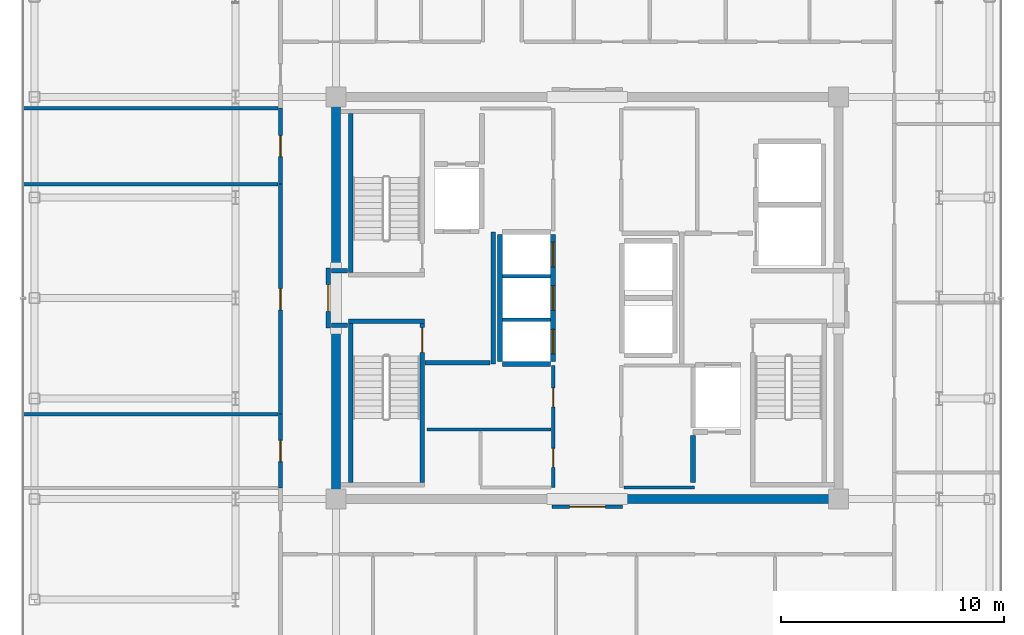
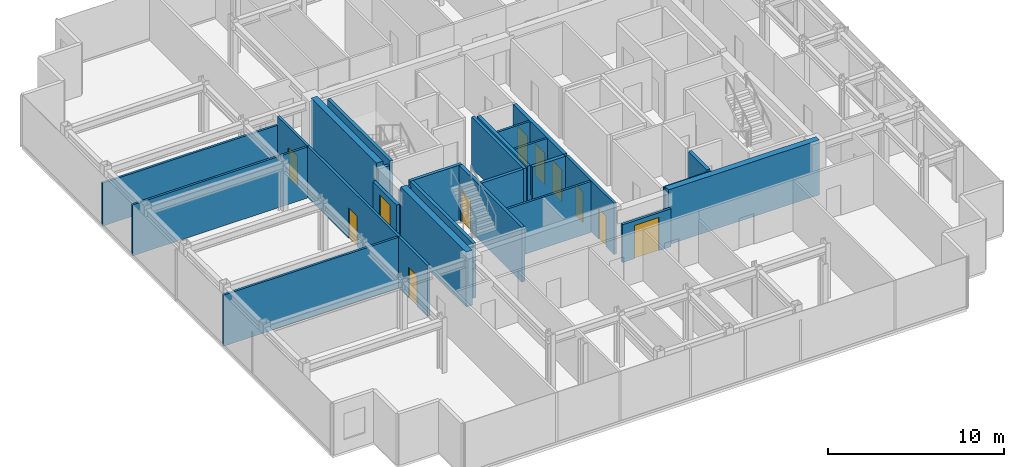
# One storey, part 13 of 17: 28 walls, 11 doors, 11 openings.
"""IFC4 building model written with IfcOpenShell, lengths in metres."""

from ifc_helpers import new_model, si_unit, direction, frame, frame_2d, origin, place, context, subcontext, project, spatial, rectangle, extrude, source, transform, mapped, material, layer, layer_set, type_object, element, fill, save


model = new_model("IFC4")

# Units and contexts
model_context = context("Model", 3, precision=1e-05, world=origin(), true_north=direction((0.0, 1.0)))
body_context = subcontext(model_context, "Body", "Model", "MODEL_VIEW")
ifc_project = project(units=[si_unit("LENGTHUNIT", "METRE"), si_unit("AREAUNIT", "SQUARE_METRE"), si_unit("VOLUMEUNIT", "CUBIC_METRE"), si_unit("PLANEANGLEUNIT", "RADIAN"), si_unit("MASSUNIT", "GRAM", prefix="KILO")], contexts=[model_context])

# Site, building, storey
site_placement = place(None, origin())
site = spatial("IfcSite", under=ifc_project, at=site_placement, CompositionType="ELEMENT")
building_placement = place(site_placement, origin())
building = spatial("IfcBuilding", under=site, at=building_placement, Name="Nefas-Gora Pilgrimage Tower", CompositionType="ELEMENT")
storey_placement = place(building_placement, frame((0.0, 0.0, 341.39990234375)))
storey = spatial("IfcBuildingStorey", under=building, at=storey_placement, Name="L86", CompositionType="ELEMENT", Elevation=341.39990234375)

# Walls
ifc_material_1 = material(Name="Concrete C50/60", Category="concrete")
ifc_layer_1 = layer(ifc_material_1, 0.39990234375)
ifc_layer_set_1 = layer_set([ifc_layer_1], Name="Concrete C50/60")
wall_type_1 = type_object("IfcWallType", Name="SW-CORE-400", PredefinedType="SHEAR", material=ifc_layer_set_1)
shared_shape_1 = source(origin(), body_context, "Body", "SweptSolid", [
    extrude(rectangle(XDim=9.89990234375, YDim=0.39990234375, at=frame_2d((4.949951171875, 0.0))), origin(), (0.0, 0.0, 1.0), 3.800048828125),
])
wall_1_placement = place(storey_placement, frame((1.550048828125, -9.0, 0.0), z_axis=(0.0, 0.0, 1.0), x_axis=(1.0, 0.0, 0.0)))
element("IfcWall", 1, at=wall_1_placement, inside=storey, type_object=wall_type_1, Name="L86 Core Shear Wall S-East", PredefinedType="SHEAR", context=body_context, shape_type="MappedRepresentation", body=[
    mapped(shared_shape_1, transform((0.0, 0.0, 0.0), x_axis=(1.0, 0.0, 0.0), y_axis=(0.0, 1.0, 0.0), z_axis=(0.0, 0.0, 1.0), scale=1.0)),
])
shared_shape_2 = source(origin(), body_context, "Body", "SweptSolid", [
    extrude(rectangle(XDim=7.449951171875, YDim=0.39990234375, at=frame_2d((3.72509765625, 0.0))), origin(), (0.0, 0.0, 1.0), 3.800048828125),
])
for number, where, z_axis, x_axis, name in (
    (2, (-11.25, -8.800048828125, 0.0), (0.0, 0.0, 1.0), (0.0, 1.0, 0.0), "L86 Core Shear Wall W-South"),
    (3, (-11.25, 1.35009765625, 0.0), (0.0, 0.0, 1.0), (0.0, 1.0, 0.0), "L86 Core Shear Wall W-North"),
):
    element("IfcWall", number, at=place(storey_placement, frame(where, z_axis=z_axis, x_axis=x_axis)), inside=storey, type_object=wall_type_1, Name=name, PredefinedType="SHEAR", context=body_context, shape_type="MappedRepresentation", body=[
        mapped(shared_shape_2, transform((0.0, 0.0, 0.0), x_axis=(1.0, 0.0, 0.0), y_axis=(0.0, 1.0, 0.0), z_axis=(0.0, 0.0, 1.0), scale=1.0)),
    ])
ifc_material_2 = material(Name="Concrete C45/55", Category="concrete")
ifc_layer_2 = layer(ifc_material_2, 0.199951171875)
ifc_layer_set_2 = layer_set([ifc_layer_2], Name="Concrete C45/55")
wall_type_2 = type_object("IfcWallType", Name="IW-STAIR-200", PredefinedType="SOLIDWALL", material=ifc_layer_set_2)
shared_shape_3 = source(origin(), body_context, "Body", "SweptSolid", [
    extrude(rectangle(XDim=3.39990234375, YDim=0.199951171875, at=frame_2d((1.699951171875, 0.0))), origin(), (0.0, 0.0, 1.0), 3.800048828125),
])
wall_2_placement = place(storey_placement, frame((-10.699951171875, -1.050048828125, 0.0), z_axis=(0.0, 0.0, 1.0), x_axis=(1.0, 0.0, 0.0)))
element("IfcWall", 4, at=wall_2_placement, inside=storey, type_object=wall_type_2, Name="L86 Stairwell Shear Wall ST-03-near", PredefinedType="SOLIDWALL", context=body_context, shape_type="MappedRepresentation", body=[
    mapped(shared_shape_3, transform((0.0, 0.0, 0.0), x_axis=(1.0, 0.0, 0.0), y_axis=(0.0, 1.0, 0.0), z_axis=(0.0, 0.0, 1.0), scale=1.0)),
])
shared_shape_4 = source(origin(), body_context, "Body", "SweptSolid", [
    extrude(rectangle(XDim=7.10009765625, YDim=0.199951171875, at=frame_2d((3.550048828125, 0.0))), origin(), (0.0, 0.0, 1.0), 3.800048828125),
])
for number, where, z_axis, x_axis, name in (
    (5, (-10.60009765625, 1.14990234375, 0.0), (0.0, 0.0, 1.0), (0.0, 1.0, 0.0), "L86 Stairwell Shear Wall ST-01-right"),
    (6, (-10.60009765625, -1.14990234375, 0.0), (0.0, 0.0, 1.0), (0.0, -1.0, 0.0), "L86 Stairwell Shear Wall ST-03-left"),
):
    element("IfcWall", number, at=place(storey_placement, frame(where, z_axis=z_axis, x_axis=x_axis)), inside=storey, type_object=wall_type_2, Name=name, PredefinedType="SOLIDWALL", context=body_context, shape_type="MappedRepresentation", body=[
        mapped(shared_shape_4, transform((0.0, 0.0, 0.0), x_axis=(1.0, 0.0, 0.0), y_axis=(0.0, 1.0, 0.0), z_axis=(0.0, 0.0, 1.0), scale=1.0)),
    ])

# Wall, opening, door
wall_3_placement = place(storey_placement, frame((-7.39990234375, -1.14990234375, 0.0), z_axis=(0.0, 0.0, 1.0), x_axis=(0.0, -1.0, 0.0)))
wall_3 = element("IfcWall", 7, at=wall_3_placement, inside=storey, type_object=wall_type_2, Name="L86 Stairwell Shear Wall ST-03-right", PredefinedType="SOLIDWALL", context=body_context, shape_type="MappedRepresentation", body=[
    mapped(shared_shape_4, transform((0.0, 0.0, 0.0), x_axis=(1.0, 0.0, 0.0), y_axis=(0.0, 1.0, 0.0), z_axis=(0.0, 0.0, 1.0), scale=1.0)),
])
opening_1_placement = place(wall_3_placement, frame((0.179931640625, 0.0, 0.0)))
opening_1 = element("IfcOpeningElement", 8, at=opening_1_placement, cuts=wall_3, Name="Opening ID-ST1", PredefinedType="OPENING", context=body_context, shape_type="SweptSolid", body=[
    extrude(rectangle(XDim=1.10009765625, YDim=2.14990234375, at=frame_2d((0.550048828125, 1.074951171875))), frame((0.0, 0.10986328125, 0.0), z_axis=(0.0, -1.0, 0.0), x_axis=(1.0, 0.0, 0.0)), (0.0, 0.0, 1.0), 0.219970703125),
])
ifc_material_3 = material(Name="Painted galvanised steel fire stair door", Category="steel")
door_type_1 = type_object("IfcDoorType", Name="DR-INT-STAIR-1100", OperationType="NOTDEFINED", PredefinedType="DOOR", material=ifc_material_3)
shared_shape_5 = source(origin(), body_context, "Body", "SweptSolid", [
    extrude(rectangle(XDim=1.10009765625, YDim=2.14990234375, at=frame_2d((0.550048828125, 1.074951171875))), frame((0.0, 0.02490234375, 0.0), z_axis=(0.0, -1.0, 0.0), x_axis=(1.0, 0.0, 0.0)), (0.0, 0.0, 1.0), 0.050048828125),
])
door_1_placement = place(opening_1_placement, origin())
door_1 = element("IfcDoor", 9, at=door_1_placement, inside=storey, type_object=door_type_1, Name="L86 Protected Exit Stair Door ST-03", OperationType="SINGLE_SWING_RIGHT", OverallHeight=2.14990234375, OverallWidth=1.10009765625, PredefinedType="DOOR", context=body_context, shape_type="MappedRepresentation", body=[
    mapped(shared_shape_5, transform((0.0, 0.0, 0.0), x_axis=(1.0, 0.0, 0.0), y_axis=(0.0, 1.0, 0.0), z_axis=(0.0, 0.0, 1.0), scale=1.0)),
])
fill(opening_1, door_1)

# Wall, openings, doors
ifc_material_4 = material(Name="Concrete C40/50", Category="concrete")
ifc_layer_3 = layer(ifc_material_4, 0.219970703125)
ifc_layer_set_3 = layer_set([ifc_layer_3], Name="Concrete C40/50")
wall_type_3 = type_object("IfcWallType", Name="IW-SHAFT-220", PredefinedType="SOLIDWALL", material=ifc_layer_set_3)
shared_shape_6 = source(origin(), body_context, "Body", "SweptSolid", [
    extrude(rectangle(XDim=5.7001953125, YDim=0.219970703125, at=frame_2d((2.85009765625, 0.0))), origin(), (0.0, 0.0, 1.0), 3.53515625),
])
wall_4_placement = place(storey_placement, frame((-1.5400390625, -2.85009765625, 0.0), z_axis=(0.0, 0.0, 1.0), x_axis=(0.0, 1.0, 0.0)))
wall_4 = element("IfcWall", 10, at=wall_4_placement, inside=storey, type_object=wall_type_3, Name="L86 Hoistway Wall PL3-01-03-E", PredefinedType="SOLIDWALL", context=body_context, shape_type="MappedRepresentation", body=[
    mapped(shared_shape_6, transform((0.0, 0.0, 0.0), x_axis=(1.0, 0.0, 0.0), y_axis=(0.0, 1.0, 0.0), z_axis=(0.0, 0.0, 1.0), scale=1.0)),
])
opening_2_placement = place(wall_4_placement, frame((0.35009765625, 0.0, 0.0)))
opening_2 = element("IfcOpeningElement", 11, at=opening_2_placement, cuts=wall_4, Name="Opening LD-01", PredefinedType="OPENING", context=body_context, shape_type="SweptSolid", body=[
    extrude(rectangle(XDim=1.10009765625, YDim=2.199951171875, at=frame_2d((0.550048828125, 1.10009765625))), frame((0.0, 0.119873046875, 0.0), z_axis=(0.0, -1.0, 0.0), x_axis=(1.0, 0.0, 0.0)), (0.0, 0.0, 1.0), 0.239990234375),
])
opening_3_placement = place(wall_4_placement, frame((2.300048828125, 0.0, 0.0)))
opening_3 = element("IfcOpeningElement", 12, at=opening_3_placement, cuts=wall_4, Name="Opening LD-01", PredefinedType="OPENING", context=body_context, shape_type="SweptSolid", body=[
    extrude(rectangle(XDim=1.10009765625, YDim=2.199951171875, at=frame_2d((0.550048828125, 1.10009765625))), frame((0.0, 0.119873046875, 0.0), z_axis=(0.0, -1.0, 0.0), x_axis=(1.0, 0.0, 0.0)), (0.0, 0.0, 1.0), 0.239990234375),
])
opening_4_placement = place(wall_4_placement, frame((4.25, 0.0, 0.0)))
opening_4 = element("IfcOpeningElement", 13, at=opening_4_placement, cuts=wall_4, Name="Opening LD-01", PredefinedType="OPENING", context=body_context, shape_type="SweptSolid", body=[
    extrude(rectangle(XDim=1.10009765625, YDim=2.199951171875, at=frame_2d((0.550048828125, 1.10009765625))), frame((0.0, 0.119873046875, 0.0), z_axis=(0.0, -1.0, 0.0), x_axis=(1.0, 0.0, 0.0)), (0.0, 0.0, 1.0), 0.239990234375),
])
ifc_material_5 = material(Name="Brushed stainless sliding lift landing door")
door_type_2 = type_object("IfcDoorType", Name="DR-LIFT-PASS-1100", OperationType="DOUBLE_DOOR_SLIDING", PredefinedType="DOOR", material=ifc_material_5)
shared_shape_7 = source(origin(), body_context, "Body", "SweptSolid", [
    extrude(rectangle(XDim=1.10009765625, YDim=2.199951171875, at=frame_2d((0.550048828125, 1.10009765625))), frame((0.0, 0.02490234375, 0.0), z_axis=(0.0, -1.0, 0.0), x_axis=(1.0, 0.0, 0.0)), (0.0, 0.0, 1.0), 0.050048828125),
])
door_2_placement = place(opening_2_placement, origin())
door_2 = element("IfcDoor", 14, at=door_2_placement, inside=storey, type_object=door_type_2, Name="L86 Sliding Lift Landing Door PL3-01", OperationType="DOUBLE_DOOR_SLIDING", OverallHeight=2.199951171875, OverallWidth=1.10009765625, PredefinedType="DOOR", context=body_context, shape_type="MappedRepresentation", body=[
    mapped(shared_shape_7, transform((0.0, 0.0, 0.0), x_axis=(1.0, 0.0, 0.0), y_axis=(0.0, 1.0, 0.0), z_axis=(0.0, 0.0, 1.0), scale=1.0)),
])
fill(opening_2, door_2)
door_3_placement = place(opening_3_placement, origin())
door_3 = element("IfcDoor", 15, at=door_3_placement, inside=storey, type_object=door_type_2, Name="L86 Sliding Lift Landing Door PL3-02", OperationType="DOUBLE_DOOR_SLIDING", OverallHeight=2.199951171875, OverallWidth=1.10009765625, PredefinedType="DOOR", context=body_context, shape_type="MappedRepresentation", body=[
    mapped(shared_shape_7, transform((0.0, 0.0, 0.0), x_axis=(1.0, 0.0, 0.0), y_axis=(0.0, 1.0, 0.0), z_axis=(0.0, 0.0, 1.0), scale=1.0)),
])
fill(opening_3, door_3)
door_4_placement = place(opening_4_placement, origin())
door_4 = element("IfcDoor", 16, at=door_4_placement, inside=storey, type_object=door_type_2, Name="L86 Sliding Lift Landing Door PL3-03", OperationType="DOUBLE_DOOR_SLIDING", OverallHeight=2.199951171875, OverallWidth=1.10009765625, PredefinedType="DOOR", context=body_context, shape_type="MappedRepresentation", body=[
    mapped(shared_shape_7, transform((0.0, 0.0, 0.0), x_axis=(1.0, 0.0, 0.0), y_axis=(0.0, 1.0, 0.0), z_axis=(0.0, 0.0, 1.0), scale=1.0)),
])
fill(opening_4, door_4)

# Walls
wall_5_placement = place(storey_placement, frame((-3.909912109375, 2.85009765625, 0.0), z_axis=(0.0, 0.0, 1.0), x_axis=(0.0, -1.0, 0.0)))
element("IfcWall", 17, at=wall_5_placement, inside=storey, type_object=wall_type_3, Name="L86 Hoistway Wall PL3-01-03-W", PredefinedType="SOLIDWALL", context=body_context, shape_type="MappedRepresentation", body=[
    mapped(shared_shape_6, transform((0.0, 0.0, 0.0), x_axis=(1.0, 0.0, 0.0), y_axis=(0.0, 1.0, 0.0), z_axis=(0.0, 0.0, 1.0), scale=1.0)),
])
shared_shape_8 = source(origin(), body_context, "Body", "SweptSolid", [
    extrude(rectangle(XDim=2.130126953125, YDim=0.219970703125, at=frame_2d((1.06494140625, 0.0))), origin(), (0.0, 0.0, 1.0), 3.53515625),
])
wall_6_placement = place(storey_placement, frame((-3.7900390625, -2.9599609375, 0.0), z_axis=(0.0, 0.0, 1.0), x_axis=(1.0, 0.0, 0.0)))
element("IfcWall", 18, at=wall_6_placement, inside=storey, type_object=wall_type_3, Name="L86 Hoistway Wall PL3-01-S", PredefinedType="SOLIDWALL", context=body_context, shape_type="MappedRepresentation", body=[
    mapped(shared_shape_8, transform((0.0, 0.0, 0.0), x_axis=(1.0, 0.0, 0.0), y_axis=(0.0, 1.0, 0.0), z_axis=(0.0, 0.0, 1.0), scale=1.0)),
])
ifc_material_6 = material(Name="Gypsum twin-stud partition")
ifc_layer_4 = layer(ifc_material_6, 0.139892578125)
ifc_layer_set_4 = layer_set([ifc_layer_4], Name="Gypsum twin-stud partition")
wall_type_4 = type_object("IfcWallType", Name="IW-UNIT-140", PredefinedType="PARTITIONING", material=ifc_layer_set_4)
shared_shape_9 = source(origin(), body_context, "Body", "SweptSolid", [
    extrude(rectangle(XDim=2.130126953125, YDim=0.139892578125, at=frame_2d((1.06494140625, 0.0))), origin(), (0.0, 0.0, 1.0), 3.53515625),
])
for number, where, z_axis, x_axis, name in (
    (19, (-3.7900390625, -0.97509765625, 0.0), (0.0, 0.0, 1.0), (1.0, 0.0, 0.0), "L86 Hoistway Wall PL3-01-02-DIV"),
    (20, (-3.7900390625, 0.97509765625, 0.0), (0.0, 0.0, 1.0), (1.0, 0.0, 0.0), "L86 Hoistway Wall PL3-02-03-DIV"),
):
    element("IfcWall", number, at=place(storey_placement, frame(where, z_axis=z_axis, x_axis=x_axis)), inside=storey, type_object=wall_type_4, Name=name, PredefinedType="PARTITIONING", context=body_context, shape_type="MappedRepresentation", body=[
        mapped(shared_shape_9, transform((0.0, 0.0, 0.0), x_axis=(1.0, 0.0, 0.0), y_axis=(0.0, 1.0, 0.0), z_axis=(0.0, 0.0, 1.0), scale=1.0)),
    ])
ifc_material_7 = material(Name="Gypsum fire-rated shaftwall")
ifc_layer_5 = layer(ifc_material_7, 0.199951171875)
ifc_layer_set_5 = layer_set([ifc_layer_5], Name="Gypsum fire-rated shaftwall")
wall_type_5 = type_object("IfcWallType", Name="IW-FFLOB-200", PredefinedType="PARTITIONING", material=ifc_layer_set_5)
shared_shape_10 = source(origin(), body_context, "Body", "SweptSolid", [
    extrude(rectangle(XDim=5.89990234375, YDim=0.199951171875, at=frame_2d((2.949951171875, 0.0))), origin(), (0.0, 0.0, 1.0), 3.53515625),
])
wall_7_placement = place(storey_placement, frame((-4.219970703125, -2.949951171875, 0.0), z_axis=(0.0, 0.0, 1.0), x_axis=(0.0, 1.0, 0.0)))
element("IfcWall", 21, at=wall_7_placement, inside=storey, type_object=wall_type_5, Name="L86 FF Lobby West Inner Wall Wall 6", PredefinedType="PARTITIONING", context=body_context, shape_type="MappedRepresentation", body=[
    mapped(shared_shape_10, transform((0.0, 0.0, 0.0), x_axis=(1.0, 0.0, 0.0), y_axis=(0.0, 1.0, 0.0), z_axis=(0.0, 0.0, 1.0), scale=1.0)),
])
shared_shape_11 = source(origin(), body_context, "Body", "SweptSolid", [
    extrude(rectangle(XDim=2.89990234375, YDim=0.199951171875, at=frame_2d((1.449951171875, 0.0))), origin(), (0.0, 0.0, 1.0), 3.53515625),
])
wall_8_placement = place(storey_placement, frame((-7.260009765625, -2.89990234375, 0.0), z_axis=(0.0, 0.0, 1.0), x_axis=(1.0, 0.0, 0.0)))
element("IfcWall", 22, at=wall_8_placement, inside=storey, type_object=wall_type_5, Name="L86 FF Lobby West South Wall Wall 7", PredefinedType="PARTITIONING", context=body_context, shape_type="MappedRepresentation", body=[
    mapped(shared_shape_11, transform((0.0, 0.0, 0.0), x_axis=(1.0, 0.0, 0.0), y_axis=(0.0, 1.0, 0.0), z_axis=(0.0, 0.0, 1.0), scale=1.0)),
])
shared_shape_12 = source(origin(), body_context, "Body", "SweptSolid", [
    extrude(rectangle(XDim=0.719970703125, YDim=0.199951171875, at=frame_2d((0.35986328125, 0.0))), origin(), (0.0, 0.0, 1.0), 3.53515625),
])
for number, where, z_axis, x_axis, name in (
    (23, (-11.4599609375, 1.219970703125, 0.0), (0.0, 0.0, 1.0), (1.0, 0.0, 0.0), "L86 FF Lobby West Throat N Wall 8"),
    (24, (-11.4599609375, -1.219970703125, 0.0), (0.0, 0.0, 1.0), (1.0, 0.0, 0.0), "L86 FF Lobby West Throat S Wall 9"),
):
    element("IfcWall", number, at=place(storey_placement, frame(where, z_axis=z_axis, x_axis=x_axis)), inside=storey, type_object=wall_type_5, Name=name, PredefinedType="PARTITIONING", context=body_context, shape_type="MappedRepresentation", body=[
        mapped(shared_shape_12, transform((0.0, 0.0, 0.0), x_axis=(1.0, 0.0, 0.0), y_axis=(0.0, 1.0, 0.0), z_axis=(0.0, 0.0, 1.0), scale=1.0)),
    ])
shared_shape_13 = source(origin(), body_context, "Body", "SweptSolid", [
    extrude(rectangle(XDim=3.150146484375, YDim=0.139892578125, at=frame_2d((1.5751953125, 0.0))), origin(), (0.0, 0.0, 1.0), 3.53515625),
])
wall_9_placement = place(storey_placement, frame((1.639892578125, -8.47998046875, 0.0), z_axis=(0.0, 0.0, 1.0), x_axis=(1.0, 0.0, 0.0)))
element("IfcWall", 25, at=wall_9_placement, inside=storey, type_object=wall_type_4, Name="L86 Freed Bank-2 East Linen Store Partition Wall 33", PredefinedType="PARTITIONING", context=body_context, shape_type="MappedRepresentation", body=[
    mapped(shared_shape_13, transform((0.0, 0.0, 0.0), x_axis=(1.0, 0.0, 0.0), y_axis=(0.0, 1.0, 0.0), z_axis=(0.0, 0.0, 1.0), scale=1.0)),
])

# Wall, opening, door
ifc_material_8 = material(Name="Gypsum acoustic stud partition")
ifc_layer_6 = layer(ifc_material_8, 0.159912109375)
ifc_layer_set_6 = layer_set([ifc_layer_6], Name="Gypsum acoustic stud partition")
wall_type_6 = type_object("IfcWallType", Name="IW-CORR-160", PredefinedType="PARTITIONING", material=ifc_layer_set_6)
shared_shape_14 = source(origin(), body_context, "Body", "SweptSolid", [
    extrude(rectangle(XDim=3.409912109375, YDim=0.159912109375, at=frame_2d((1.705078125, 0.0))), origin(), (0.0, 0.0, 1.0), 3.53515625),
])
wall_10_placement = place(storey_placement, frame((-13.739990234375, 5.094970703125, 0.0), z_axis=(0.0, 0.0, 1.0), x_axis=(0.0, 1.0, 0.0)))
wall_10 = element("IfcWall", 26, at=wall_10_placement, inside=storey, type_object=wall_type_6, Name="L86 Scripture Reading Study Partition Wall 43", PredefinedType="PARTITIONING", context=body_context, shape_type="MappedRepresentation", body=[
    mapped(shared_shape_14, transform((0.0, 0.0, 0.0), x_axis=(1.0, 0.0, 0.0), y_axis=(0.0, 1.0, 0.0), z_axis=(0.0, 0.0, 1.0), scale=1.0)),
])
opening_5_placement = place(wall_10_placement, frame((1.22998046875, 0.0, 0.0)))
opening_5 = element("IfcOpeningElement", 27, at=opening_5_placement, cuts=wall_10, Name="Opening ID-GR1", PredefinedType="OPENING", context=body_context, shape_type="SweptSolid", body=[
    extrude(rectangle(XDim=0.949951171875, YDim=2.10009765625, at=frame_2d((0.47509765625, 1.050048828125))), frame((0.0, 0.08984375, 0.0), z_axis=(0.0, -1.0, 0.0), x_axis=(1.0, 0.0, 0.0)), (0.0, 0.0, 1.0), 0.179931640625),
])
ifc_material_9 = material(Name="Solid core oak fire-rated guest entrance door")
door_type_3 = type_object("IfcDoorType", Name="DR-INT-GUEST-950", OperationType="NOTDEFINED", PredefinedType="DOOR", material=ifc_material_9)
shared_shape_15 = source(origin(), body_context, "Body", "SweptSolid", [
    extrude(rectangle(XDim=0.949951171875, YDim=2.10009765625, at=frame_2d((0.47509765625, 1.050048828125))), frame((0.0, 0.02490234375, 0.0), z_axis=(0.0, -1.0, 0.0), x_axis=(1.0, 0.0, 0.0)), (0.0, 0.0, 1.0), 0.050048828125),
])
door_5_placement = place(opening_5_placement, origin())
door_5 = element("IfcDoor", 28, at=door_5_placement, inside=storey, type_object=door_type_3, Name="L86 Scripture Reading Study Door 18", OperationType="SINGLE_SWING_RIGHT", OverallHeight=2.10009765625, OverallWidth=0.949951171875, PredefinedType="DOOR", context=body_context, shape_type="MappedRepresentation", body=[
    mapped(shared_shape_15, transform((0.0, 0.0, 0.0), x_axis=(1.0, 0.0, 0.0), y_axis=(0.0, 1.0, 0.0), z_axis=(0.0, 0.0, 1.0), scale=1.0)),
])
fill(opening_5, door_5)

shared_shape_16 = source(origin(), body_context, "Body", "SweptSolid", [
    extrude(rectangle(XDim=3.309814453125, YDim=0.159912109375, at=frame_2d((1.65478515625, 0.0))), origin(), (0.0, 0.0, 1.0), 3.53515625),
])
wall_11_placement = place(storey_placement, frame((-13.739990234375, -8.5048828125, 0.0), z_axis=(0.0, 0.0, 1.0), x_axis=(0.0, 1.0, 0.0)))
wall_11 = element("IfcWall", 29, at=wall_11_placement, inside=storey, type_object=wall_type_6, Name="L86 Pastoral Chaplains Counselling Office Partition Wall 39", PredefinedType="PARTITIONING", context=body_context, shape_type="MappedRepresentation", body=[
    mapped(shared_shape_16, transform((0.0, 0.0, 0.0), x_axis=(1.0, 0.0, 0.0), y_axis=(0.0, 1.0, 0.0), z_axis=(0.0, 0.0, 1.0), scale=1.0)),
])
opening_6_placement = place(wall_11_placement, frame((1.179931640625, 0.0, 0.0)))
opening_6 = element("IfcOpeningElement", 30, at=opening_6_placement, cuts=wall_11, Name="Opening ID-GR1", PredefinedType="OPENING", context=body_context, shape_type="SweptSolid", body=[
    extrude(rectangle(XDim=0.949951171875, YDim=2.10009765625, at=frame_2d((0.47509765625, 1.050048828125))), frame((0.0, 0.08984375, 0.0), z_axis=(0.0, -1.0, 0.0), x_axis=(1.0, 0.0, 0.0)), (0.0, 0.0, 1.0), 0.179931640625),
])
door_6_placement = place(opening_6_placement, origin())
door_6 = element("IfcDoor", 31, at=door_6_placement, inside=storey, type_object=door_type_3, Name="L86 Pastoral Chaplains Counselling Office Door 16", OperationType="SINGLE_SWING_RIGHT", OverallHeight=2.10009765625, OverallWidth=0.949951171875, PredefinedType="DOOR", context=body_context, shape_type="MappedRepresentation", body=[
    mapped(shared_shape_15, transform((0.0, 0.0, 0.0), x_axis=(1.0, 0.0, 0.0), y_axis=(0.0, 1.0, 0.0), z_axis=(0.0, 0.0, 1.0), scale=1.0)),
])
fill(opening_6, door_6)

# Walls
shared_shape_17 = source(origin(), body_context, "Body", "SweptSolid", [
    extrude(rectangle(XDim=11.429931640625, YDim=0.139892578125, at=frame_2d((5.71484375, 0.0))), origin(), (0.0, 0.0, 1.0), 3.53515625),
])
for number, where, z_axis, x_axis, name in (
    (32, (-25.2900390625, -5.205078125, 0.0), (0.0, 0.0, 1.0), (1.0, 0.0, 0.0), "L86 Pastoral Chaplains Counselling Office Partition Wall 40"),
    (33, (-25.2900390625, 5.094970703125, 0.0), (0.0, 0.0, 1.0), (1.0, 0.0, 0.0), "L86 Pilgrim Devotional Prayer Gallery Partition Wall 42"),
):
    element("IfcWall", number, at=place(storey_placement, frame(where, z_axis=z_axis, x_axis=x_axis)), inside=storey, type_object=wall_type_4, Name=name, PredefinedType="PARTITIONING", context=body_context, shape_type="MappedRepresentation", body=[
        mapped(shared_shape_17, transform((0.0, 0.0, 0.0), x_axis=(1.0, 0.0, 0.0), y_axis=(0.0, 1.0, 0.0), z_axis=(0.0, 0.0, 1.0), scale=1.0)),
    ])

# Wall, openings, doors
shared_shape_18 = source(origin(), body_context, "Body", "SweptSolid", [
    extrude(rectangle(XDim=5.47998046875, YDim=0.159912109375, at=frame_2d((2.739990234375, 0.0))), origin(), (0.0, 0.0, 1.0), 3.53515625),
])
wall_12_placement = place(storey_placement, frame((-1.52001953125, -8.489990234375, 0.0), z_axis=(0.0, 0.0, 1.0), x_axis=(0.0, 1.0, 0.0)))
wall_12 = element("IfcWall", 34, at=wall_12_placement, inside=storey, type_object=wall_type_6, Name="L86 Pilgrim Baggage and Gear Vault Wall 25", PredefinedType="PARTITIONING", context=body_context, shape_type="MappedRepresentation", body=[
    mapped(shared_shape_18, transform((0.0, 0.0, 0.0), x_axis=(1.0, 0.0, 0.0), y_axis=(0.0, 1.0, 0.0), z_axis=(0.0, 0.0, 1.0), scale=1.0)),
])
opening_7_placement = place(wall_12_placement, frame((0.907470703125, 0.0, 0.0)))
opening_7 = element("IfcOpeningElement", 35, at=opening_7_placement, cuts=wall_12, Name="Opening ID-BT1", PredefinedType="OPENING", context=body_context, shape_type="SweptSolid", body=[
    extrude(rectangle(XDim=0.85009765625, YDim=2.10009765625, at=frame_2d((0.425048828125, 1.050048828125))), frame((0.0, 0.08984375, 0.0), z_axis=(0.0, -1.0, 0.0), x_axis=(1.0, 0.0, 0.0)), (0.0, 0.0, 1.0), 0.179931640625),
])
opening_8_placement = place(wall_12_placement, frame((3.614990234375, 0.0, 0.0)))
opening_8 = element("IfcOpeningElement", 36, at=opening_8_placement, cuts=wall_12, Name="Opening ID-BT1", PredefinedType="OPENING", context=body_context, shape_type="SweptSolid", body=[
    extrude(rectangle(XDim=0.85009765625, YDim=2.10009765625, at=frame_2d((0.425048828125, 1.050048828125))), frame((0.0, 0.08984375, 0.0), z_axis=(0.0, -1.0, 0.0), x_axis=(1.0, 0.0, 0.0)), (0.0, 0.0, 1.0), 0.179931640625),
])
ifc_material_10 = material(Name="Moisture-resistant fire-rated timber door", Category="wood")
door_type_4 = type_object("IfcDoorType", Name="DR-INT-BATH-850", OperationType="NOTDEFINED", PredefinedType="DOOR", material=ifc_material_10)
shared_shape_19 = source(origin(), body_context, "Body", "SweptSolid", [
    extrude(rectangle(XDim=0.85009765625, YDim=2.10009765625, at=frame_2d((0.425048828125, 1.050048828125))), frame((0.0, 0.02490234375, 0.0), z_axis=(0.0, -1.0, 0.0), x_axis=(1.0, 0.0, 0.0)), (0.0, 0.0, 1.0), 0.050048828125),
])
door_7_placement = place(opening_7_placement, origin())
door_7 = element("IfcDoor", 37, at=door_7_placement, inside=storey, type_object=door_type_4, Name="L86 Freed Bank-2 West Supply Vault Door 10", OperationType="SINGLE_SWING_RIGHT", OverallHeight=2.10009765625, OverallWidth=0.85009765625, PredefinedType="DOOR", context=body_context, shape_type="MappedRepresentation", body=[
    mapped(shared_shape_19, transform((0.0, 0.0, 0.0), x_axis=(1.0, 0.0, 0.0), y_axis=(0.0, 1.0, 0.0), z_axis=(0.0, 0.0, 1.0), scale=1.0)),
])
fill(opening_7, door_7)
door_8_placement = place(opening_8_placement, origin())
door_8 = element("IfcDoor", 38, at=door_8_placement, inside=storey, type_object=door_type_4, Name="L86 Pilgrim Baggage and Gear Vault Door 11", OperationType="SINGLE_SWING_LEFT", OverallHeight=2.10009765625, OverallWidth=0.85009765625, PredefinedType="DOOR", context=body_context, shape_type="MappedRepresentation", body=[
    mapped(shared_shape_19, transform((0.0, 0.0, 0.0), x_axis=(1.0, 0.0, 0.0), y_axis=(0.0, 1.0, 0.0), z_axis=(0.0, 0.0, 1.0), scale=1.0)),
])
fill(opening_8, door_8)

# Wall, opening, door
shared_shape_20 = source(origin(), body_context, "Body", "SweptSolid", [
    extrude(rectangle(XDim=2.7001953125, YDim=0.199951171875, at=frame_2d((1.35009765625, 0.0))), origin(), (0.0, 0.0, 1.0), 2.625),
])
wall_13_placement = place(storey_placement, frame((-11.60009765625, -1.35009765625, 0.0), z_axis=(0.0, 0.0, 1.0), x_axis=(0.0, 1.0, 0.0)))
wall_13 = element("IfcWall", 39, at=wall_13_placement, inside=storey, type_object=wall_type_5, Name="L86 FF Lobby West Portal Wall 5", PredefinedType="PARTITIONING", context=body_context, shape_type="MappedRepresentation", body=[
    mapped(shared_shape_20, transform((0.0, 0.0, 0.0), x_axis=(1.0, 0.0, 0.0), y_axis=(0.0, 1.0, 0.0), z_axis=(0.0, 0.0, 1.0), scale=1.0)),
])
opening_9_placement = place(wall_13_placement, frame((0.75, 0.0, 0.0)))
opening_9 = element("IfcOpeningElement", 40, at=opening_9_placement, cuts=wall_13, Name="Opening ID-FF1", PredefinedType="OPENING", context=body_context, shape_type="SweptSolid", body=[
    extrude(rectangle(XDim=1.199951171875, YDim=2.14990234375, at=frame_2d((0.60009765625, 1.074951171875))), frame((0.0, 0.10986328125, 0.0), z_axis=(0.0, -1.0, 0.0), x_axis=(1.0, 0.0, 0.0)), (0.0, 0.0, 1.0), 0.219970703125),
])
ifc_material_11 = material(Name="Smoke-sealed steel firefighting lobby door", Category="steel")
door_type_5 = type_object("IfcDoorType", Name="DR-INT-FFLOB-1200", OperationType="NOTDEFINED", PredefinedType="DOOR", material=ifc_material_11)
shared_shape_21 = source(origin(), body_context, "Body", "SweptSolid", [
    extrude(rectangle(XDim=1.199951171875, YDim=2.14990234375, at=frame_2d((0.60009765625, 1.074951171875))), frame((0.0, 0.02490234375, 0.0), z_axis=(0.0, -1.0, 0.0), x_axis=(1.0, 0.0, 0.0)), (0.0, 0.0, 1.0), 0.050048828125),
])
door_9_placement = place(opening_9_placement, origin())
door_9 = element("IfcDoor", 41, at=door_9_placement, inside=storey, type_object=door_type_5, Name="L86 FF Lobby West Portal Door 3", OperationType="SINGLE_SWING_LEFT", OverallHeight=2.14990234375, OverallWidth=1.199951171875, PredefinedType="DOOR", context=body_context, shape_type="MappedRepresentation", body=[
    mapped(shared_shape_21, transform((0.0, 0.0, 0.0), x_axis=(1.0, 0.0, 0.0), y_axis=(0.0, 1.0, 0.0), z_axis=(0.0, 0.0, 1.0), scale=1.0)),
])
fill(opening_9, door_9)

shared_shape_22 = source(origin(), body_context, "Body", "SweptSolid", [
    extrude(rectangle(XDim=3.16015625, YDim=0.159912109375, at=frame_2d((1.580078125, 0.0))), origin(), (0.0, 0.0, 1.0), 2.625),
])
wall_14_placement = place(storey_placement, frame((-1.580078125, -9.35009765625, 0.0), z_axis=(0.0, 0.0, 1.0), x_axis=(1.0, 0.0, 0.0)))
wall_14 = element("IfcWall", 42, at=wall_14_placement, inside=storey, type_object=wall_type_6, Name="L86 Central Lift Lobby South Portal Wall 17", PredefinedType="PARTITIONING", context=body_context, shape_type="MappedRepresentation", body=[
    mapped(shared_shape_22, transform((0.0, 0.0, 0.0), x_axis=(1.0, 0.0, 0.0), y_axis=(0.0, 1.0, 0.0), z_axis=(0.0, 0.0, 1.0), scale=1.0)),
])
opening_10_placement = place(wall_14_placement, frame((0.780029296875, 0.0, 0.0)))
opening_10 = element("IfcOpeningElement", 43, at=opening_10_placement, cuts=wall_14, Name="Opening ID-HL1", PredefinedType="OPENING", context=body_context, shape_type="SweptSolid", body=[
    extrude(rectangle(XDim=1.60009765625, YDim=2.300048828125, at=frame_2d((0.800048828125, 1.14990234375))), frame((0.0, 0.08984375, 0.0), z_axis=(0.0, -1.0, 0.0), x_axis=(1.0, 0.0, 0.0)), (0.0, 0.0, 1.0), 0.179931640625),
])
ifc_material_12 = material(Name="Double acoustic timber assembly hall door", Category="wood")
door_type_6 = type_object("IfcDoorType", Name="DR-INT-HALL-1600", OperationType="DOUBLE_DOOR_SINGLE_SWING", PredefinedType="DOOR", material=ifc_material_12)
shared_shape_23 = source(origin(), body_context, "Body", "SweptSolid", [
    extrude(rectangle(XDim=1.60009765625, YDim=2.300048828125, at=frame_2d((0.800048828125, 1.14990234375))), frame((0.0, 0.02490234375, 0.0), z_axis=(0.0, -1.0, 0.0), x_axis=(1.0, 0.0, 0.0)), (0.0, 0.0, 1.0), 0.050048828125),
])
door_10_placement = place(opening_10_placement, origin())
door_10 = element("IfcDoor", 44, at=door_10_placement, inside=storey, type_object=door_type_6, Name="L86 Central Lift Lobby South Portal Door 7", OperationType="DOUBLE_DOOR_SINGLE_SWING", OverallHeight=2.300048828125, OverallWidth=1.60009765625, PredefinedType="DOOR", context=body_context, shape_type="MappedRepresentation", body=[
    mapped(shared_shape_23, transform((0.0, 0.0, 0.0), x_axis=(1.0, 0.0, 0.0), y_axis=(0.0, 1.0, 0.0), z_axis=(0.0, 0.0, 1.0), scale=1.0)),
])
fill(opening_10, door_10)

shared_shape_24 = source(origin(), body_context, "Body", "SweptSolid", [
    extrude(rectangle(XDim=10.31005859375, YDim=0.159912109375, at=frame_2d((5.155029296875, 0.0))), origin(), (0.0, 0.0, 1.0), 3.53515625),
])
wall_15_placement = place(storey_placement, frame((-13.739990234375, -5.205078125, 0.0), z_axis=(0.0, 0.0, 1.0), x_axis=(0.0, 1.0, 0.0)))
wall_15 = element("IfcWall", 45, at=wall_15_placement, inside=storey, type_object=wall_type_6, Name="L86 Pilgrim Devotional Prayer Gallery Partition Wall 41", PredefinedType="PARTITIONING", context=body_context, shape_type="MappedRepresentation", body=[
    mapped(shared_shape_24, transform((0.0, 0.0, 0.0), x_axis=(1.0, 0.0, 0.0), y_axis=(0.0, 1.0, 0.0), z_axis=(0.0, 0.0, 1.0), scale=1.0)),
])
opening_11_placement = place(wall_15_placement, frame((4.679931640625, 0.0, 0.0)))
opening_11 = element("IfcOpeningElement", 46, at=opening_11_placement, cuts=wall_15, Name="Opening ID-GR1", PredefinedType="OPENING", context=body_context, shape_type="SweptSolid", body=[
    extrude(rectangle(XDim=0.949951171875, YDim=2.10009765625, at=frame_2d((0.47509765625, 1.050048828125))), frame((0.0, 0.08984375, 0.0), z_axis=(0.0, -1.0, 0.0), x_axis=(1.0, 0.0, 0.0)), (0.0, 0.0, 1.0), 0.179931640625),
])
door_11_placement = place(opening_11_placement, origin())
door_11 = element("IfcDoor", 47, at=door_11_placement, inside=storey, type_object=door_type_3, Name="L86 Pilgrim Devotional Prayer Gallery Door 17", OperationType="SINGLE_SWING_LEFT", OverallHeight=2.10009765625, OverallWidth=0.949951171875, PredefinedType="DOOR", context=body_context, shape_type="MappedRepresentation", body=[
    mapped(shared_shape_15, transform((0.0, 0.0, 0.0), x_axis=(1.0, 0.0, 0.0), y_axis=(0.0, 1.0, 0.0), z_axis=(0.0, 0.0, 1.0), scale=1.0)),
])
fill(opening_11, door_11)

# Walls
shared_shape_25 = source(origin(), body_context, "Body", "SweptSolid", [
    extrude(rectangle(XDim=2.10009765625, YDim=0.219970703125, at=frame_2d((1.050048828125, 0.0))), origin(), (0.0, 0.0, 1.0), 3.53515625),
])
wall_16_placement = place(storey_placement, frame((4.719970703125, -8.25, 0.0), z_axis=(0.0, 0.0, 1.0), x_axis=(0.0, 1.0, 0.0)))
element("IfcWall", 48, at=wall_16_placement, inside=storey, type_object=wall_type_3, Name="L86 Riser Shaft Wall 4", PredefinedType="SOLIDWALL", context=body_context, shape_type="MappedRepresentation", body=[
    mapped(shared_shape_25, transform((0.0, 0.0, 0.0), x_axis=(1.0, 0.0, 0.0), y_axis=(0.0, 1.0, 0.0), z_axis=(0.0, 0.0, 1.0), scale=1.0)),
])
shared_shape_26 = source(origin(), body_context, "Body", "SweptSolid", [
    extrude(rectangle(XDim=5.550048828125, YDim=0.139892578125, at=frame_2d((2.77490234375, 0.0))), origin(), (0.0, 0.0, 1.0), 3.53515625),
])
wall_17_placement = place(storey_placement, frame((-7.18994140625, -5.8798828125, 0.0), z_axis=(0.0, 0.0, 1.0), x_axis=(1.0, 0.0, 0.0)))
element("IfcWall", 49, at=wall_17_placement, inside=storey, type_object=wall_type_4, Name="L86 Pilgrim Baggage and Gear Vault Partition Wall 26", PredefinedType="PARTITIONING", context=body_context, shape_type="MappedRepresentation", body=[
    mapped(shared_shape_26, transform((0.0, 0.0, 0.0), x_axis=(1.0, 0.0, 0.0), y_axis=(0.0, 1.0, 0.0), z_axis=(0.0, 0.0, 1.0), scale=1.0)),
])
shared_shape_27 = source(origin(), body_context, "Body", "SweptSolid", [
    extrude(rectangle(XDim=11.429931640625, YDim=0.139892578125, at=frame_2d((5.71484375, 0.0))), origin(), (0.0, 0.0, 1.0), 2.97509765625),
])
wall_18_placement = place(storey_placement, frame((-25.2900390625, 8.4951171875, 0.0), z_axis=(0.0, 0.0, 1.0), x_axis=(1.0, 0.0, 0.0)))
element("IfcWall", 50, at=wall_18_placement, inside=storey, type_object=wall_type_4, Name="L86 Scripture Reading Study Partition Wall 44", PredefinedType="PARTITIONING", context=body_context, shape_type="MappedRepresentation", body=[
    mapped(shared_shape_27, transform((0.0, 0.0, 0.0), x_axis=(1.0, 0.0, 0.0), y_axis=(0.0, 1.0, 0.0), z_axis=(0.0, 0.0, 1.0), scale=1.0)),
])

save(model, "model.ifc")
